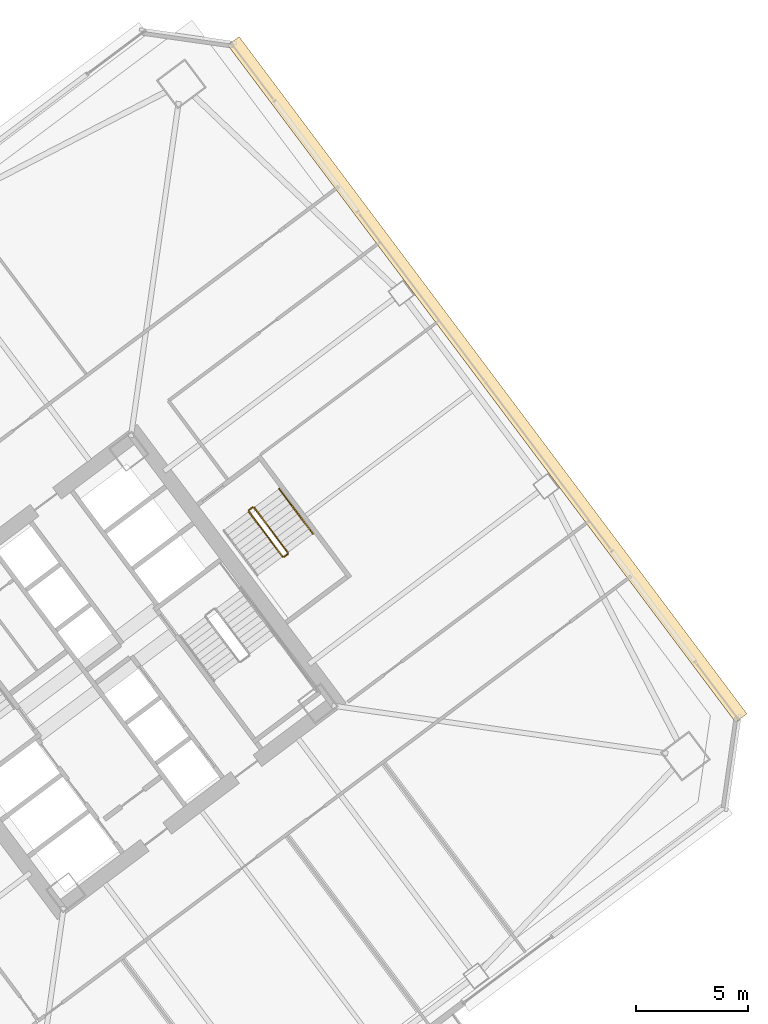
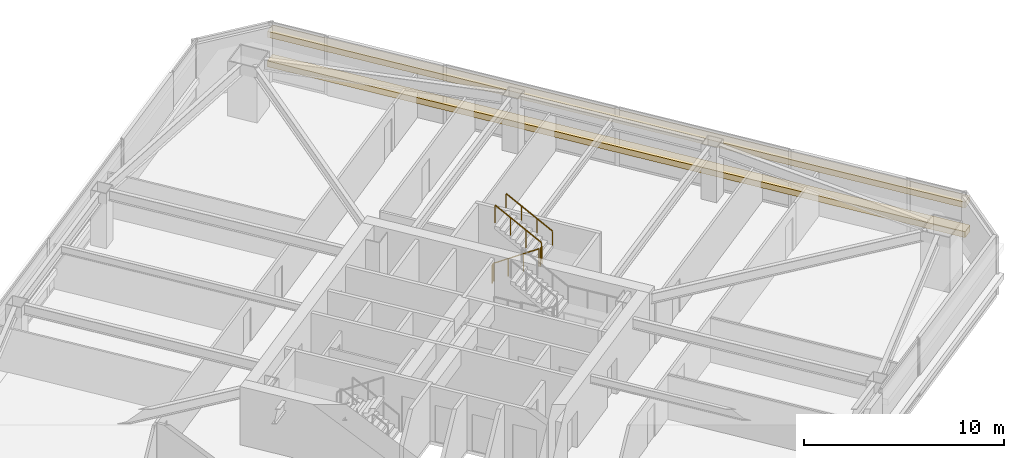
# One storey, part 47 of 48: 5 railings, 2 coverings.
"""IFC4 building model written with IfcOpenShell, lengths in metres."""

from ifc_helpers import new_model, si_unit, direction, frame, origin, origin_2d, place, context, subcontext, project, spatial, rectangle, extrude, material, layer, layer_set, type_object, element, save


model = new_model("IFC4")

# Units and contexts
model_context = context("Model", 3, precision=1e-05, world=origin(), true_north=direction((0.0, 1.0)))
body_context = subcontext(model_context, "Body", "Model", "MODEL_VIEW")
ifc_project = project(units=[si_unit("LENGTHUNIT", "METRE"), si_unit("AREAUNIT", "SQUARE_METRE"), si_unit("VOLUMEUNIT", "CUBIC_METRE"), si_unit("PLANEANGLEUNIT", "RADIAN"), si_unit("MASSUNIT", "GRAM", prefix="KILO")], contexts=[model_context])

# Site, building, storey
site_placement = place(None, origin())
site = spatial("IfcSite", under=ifc_project, at=site_placement, CompositionType="ELEMENT")
building_placement = place(site_placement, origin())
building = spatial("IfcBuilding", under=site, at=building_placement, Name="Tashvorn Skyway Center", CompositionType="ELEMENT")
storey_placement = place(building_placement, frame((0.0, 0.0, 53.0)))
storey = spatial("IfcBuildingStorey", under=building, at=storey_placement, Name="L13", CompositionType="ELEMENT", Elevation=53.0)

# Coverings
ifc_material_1 = material(Name="Perforated ceramic-coated bronze aluminium solar screen", Category="aluminium")
ifc_layer = layer(ifc_material_1, 0.85009765625)
ifc_layer_set = layer_set([ifc_layer], Name="Perforated ceramic-coated bronze aluminium solar screen")
covering_type = type_object("IfcCoveringType", Name="COV-SOLAR-BAND", PredefinedType="CLADDING", material=ifc_layer_set)
for number, where, z_axis, x_axis, name in (
    (1, (131.4560546875, 45.092041015625, 0.919921875), (0.0, 0.0, 1.0), (0.600000004945, -0.799999996291, 0.0), "L13 Perforated Ceramic-Metal Solar Screen Louvre Band East 1"),
    (2, (131.4560546875, 45.092041015625, 2.7197265625), (0.0, 0.0, 1.0), (0.600000004945, -0.799999996291, 0.0), "L13 Perforated Ceramic-Metal Solar Screen Louvre Band East 2"),
):
    element("IfcCovering", number, at=place(storey_placement, frame(where, z_axis=z_axis, x_axis=x_axis)), inside=storey, type_object=covering_type, Name=name, PredefinedType="CLADDING", context=body_context, shape_type="SweptSolid", body=[
        extrude(rectangle(XDim=37.8798828125, YDim=0.639892578125, at=origin_2d()), origin(), (0.0, 0.0, 1.0), 0.360107421875),
    ])

# Railings
ifc_material_2 = material(Name="Brushed stainless steel 316", Category="steel")
railing_type_1 = type_object("IfcRailingType", Name="RAIL-HAND-920", PredefinedType="HANDRAIL", material=ifc_material_2)
railing_1_placement = place(storey_placement, frame((123.64794921875, 38.18603515625, 1.952392578125)))
element("IfcRailing", 3, at=railing_1_placement, inside=storey, type_object=railing_type_1, Name="L13 ST-T2-3 stair handrail 2", PredefinedType="HANDRAIL", context=body_context, shape_type="SweptSolid", body=[
    extrude(rectangle(XDim=0.048095703125, YDim=0.048095703125, at=origin_2d()), frame((0.0, 0.0, 0.8759765625), z_axis=(-0.50674661542, 0.675634878657, 0.535467439255), x_axis=(-0.79998837352, -0.60001550166, 0.0)), (0.0, 0.0, 1.0), 2.983642578125),
    extrude(rectangle(XDim=0.0419921875, YDim=0.0419921875, at=origin_2d()), origin(), (0.0, 0.0, 1.0), 0.851806640625),
    extrude(rectangle(XDim=0.0419921875, YDim=0.0419921875, at=origin_2d()), frame((-0.50390625, 0.671875, 0.532470703125)), (0.0, 0.0, 1.0), 0.851806640625),
    extrude(rectangle(XDim=0.0419921875, YDim=0.0419921875, at=origin_2d()), frame((-1.008056640625, 1.343994140625, 1.065185546875)), (0.0, 0.0, 1.0), 0.851806640625),
    extrude(rectangle(XDim=0.0419921875, YDim=0.0419921875, at=origin_2d()), frame((-1.511962890625, 2.015869140625, 1.59765625)), (0.0, 0.0, 1.0), 0.851806640625),
])
ifc_material_3 = material(Name="Painted galvanized steel S355", Category="steel")
railing_type_2 = type_object("IfcRailingType", Name="RAIL-STGUARD-1100", PredefinedType="GUARDRAIL", material=ifc_material_3)
railing_2_placement = place(storey_placement, frame((120.77587890625, 39.181884765625, 0.177490234375)))
element("IfcRailing", 4, at=railing_2_placement, inside=storey, type_object=railing_type_2, Name="L13 ST-T2-3 stair guard 1", PredefinedType="GUARDRAIL", context=body_context, shape_type="SweptSolid", body=[
    extrude(rectangle(XDim=0.048095703125, YDim=0.048095703125, at=origin_2d()), frame((0.0, 0.0, 1.076171875), z_axis=(0.506829628838, -0.67563646195, 0.535386868177), x_axis=(0.799941867976, 0.600077501544, 0.0)), (0.0, 0.0, 1.0), 2.983642578125),
    extrude(rectangle(XDim=0.0419921875, YDim=0.0419921875, at=origin_2d()), origin(), (0.0, 0.0, 1.0), 1.052001953125),
    extrude(rectangle(XDim=0.0419921875, YDim=0.0419921875, at=origin_2d()), frame((0.504150390625, -0.671875, 0.532470703125)), (0.0, 0.0, 1.0), 1.052001953125),
    extrude(rectangle(XDim=0.0419921875, YDim=0.0419921875, at=origin_2d()), frame((1.008056640625, -1.343994140625, 1.06494140625)), (0.0, 0.0, 1.0), 1.052001953125),
    extrude(rectangle(XDim=0.0419921875, YDim=0.0419921875, at=origin_2d()), frame((1.51220703125, -2.015869140625, 1.597412109375)), (0.0, 0.0, 1.0), 1.052001953125),
])
railing_3_placement = place(storey_placement, frame((122.35791015625, 37.156005859375, 1.77490234375)))
element("IfcRailing", 5, at=railing_3_placement, inside=storey, type_object=railing_type_2, Name="L13 ST-T2-3 stair guard 2", PredefinedType="GUARDRAIL", context=body_context, shape_type="SweptSolid", body=[
    extrude(rectangle(XDim=0.048095703125, YDim=0.048095703125, at=origin_2d()), frame((0.0, 0.0, 1.076171875), z_axis=(0.800585412921, 0.599218655098, 0.0), x_axis=(-0.599218655098, 0.800585412921, 0.0)), (0.0, 0.0, 1.0), 0.199951171875),
    extrude(rectangle(XDim=0.0419921875, YDim=0.0419921875, at=origin_2d()), origin(), (0.0, 0.0, 1.0), 1.052001953125),
    extrude(rectangle(XDim=0.0419921875, YDim=0.0419921875, at=origin_2d()), frame((0.16015625, 0.119873046875, 0.0)), (0.0, 0.0, 1.0), 1.052001953125),
])
railing_4_placement = place(storey_placement, frame((122.528076171875, 37.345947265625, 1.952392578125)))
element("IfcRailing", 6, at=railing_4_placement, inside=storey, type_object=railing_type_2, Name="L13 ST-T2-3 stair guard 3", PredefinedType="GUARDRAIL", context=body_context, shape_type="SweptSolid", body=[
    extrude(rectangle(XDim=0.048095703125, YDim=0.048095703125, at=origin_2d()), frame((0.0, 0.0, 1.076171875), z_axis=(-0.506718600913, 0.675679348675, 0.535437836974), x_axis=(-0.800023250257, -0.599968998406, 0.0)), (0.0, 0.0, 1.0), 2.98388671875),
    extrude(rectangle(XDim=0.0419921875, YDim=0.0419921875, at=origin_2d()), origin(), (0.0, 0.0, 1.0), 1.052001953125),
    extrude(rectangle(XDim=0.0419921875, YDim=0.0419921875, at=origin_2d()), frame((-0.50390625, 0.672119140625, 0.532470703125)), (0.0, 0.0, 1.0), 1.052001953125),
    extrude(rectangle(XDim=0.0419921875, YDim=0.0419921875, at=origin_2d()), frame((-1.008056640625, 1.343994140625, 1.065185546875)), (0.0, 0.0, 1.0), 1.052001953125),
    extrude(rectangle(XDim=0.0419921875, YDim=0.0419921875, at=origin_2d()), frame((-1.511962890625, 2.01611328125, 1.59765625)), (0.0, 0.0, 1.0), 1.052001953125),
])
railing_5_placement = place(storey_placement, frame((120.785888671875, 39.251953125, 0.0)))
element("IfcRailing", 7, at=railing_5_placement, inside=storey, type_object=railing_type_2, Name="L13 ST-T2-3 stair guard 4", PredefinedType="GUARDRAIL", context=body_context, shape_type="SweptSolid", body=[
    extrude(rectangle(XDim=0.048095703125, YDim=0.048095703125, at=origin_2d()), frame((0.0, 0.0, 1.076171875), z_axis=(0.8, 0.6, 0.0), x_axis=(-0.6, 0.8, 0.0)), (0.0, 0.0, 1.0), 0.2001953125),
    extrude(rectangle(XDim=0.0419921875, YDim=0.0419921875, at=origin_2d()), origin(), (0.0, 0.0, 1.0), 1.052001953125),
    extrude(rectangle(XDim=0.0419921875, YDim=0.0419921875, at=origin_2d()), frame((0.16015625, 0.1201171875, 0.0)), (0.0, 0.0, 1.0), 1.052001953125),
])

save(model, "model.ifc")
